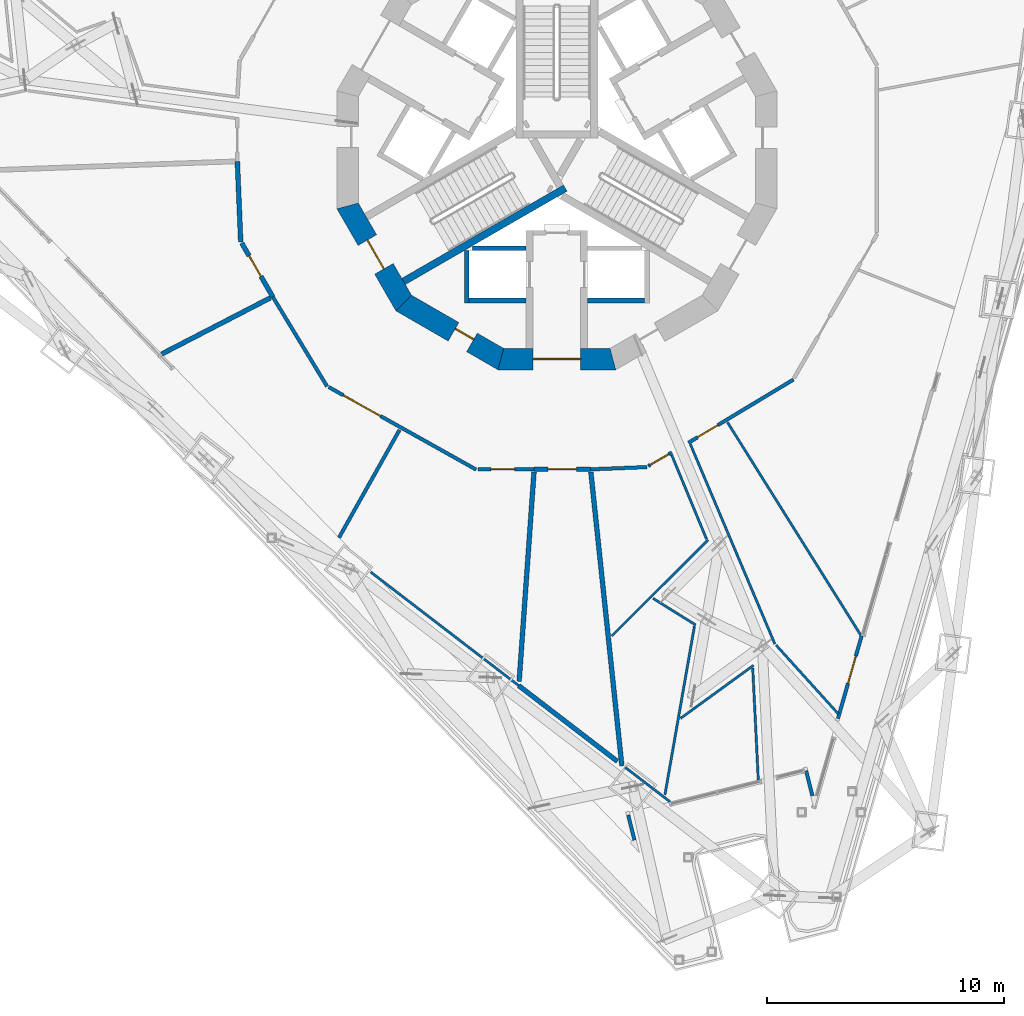
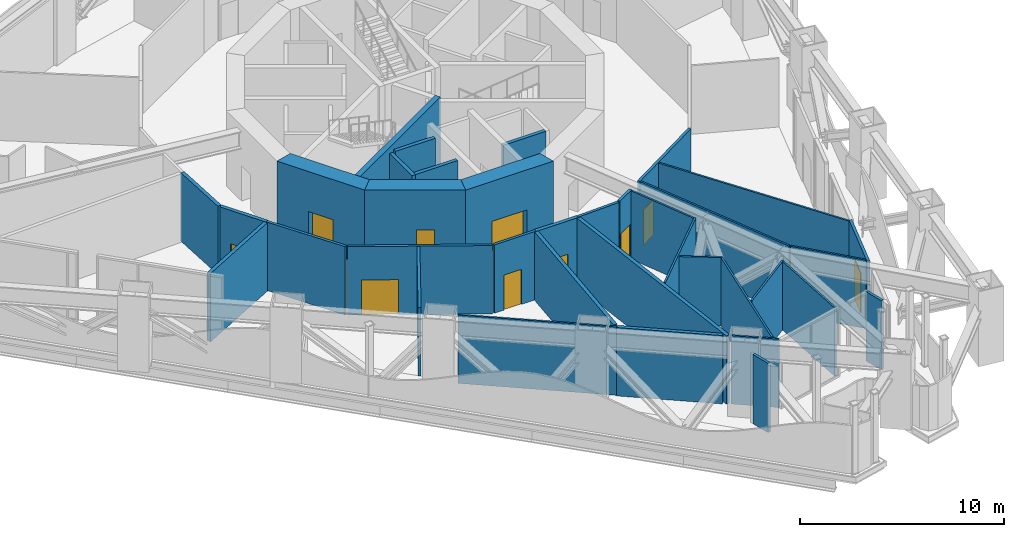
# One storey, part 12 of 26: 36 walls, 10 doors, 10 openings.
"""IFC4 building model written with IfcOpenShell, lengths in metres."""

import ifcopenshell
import ifcopenshell.guid

model = None  # the IFC model being written
_history = None  # IfcOwnerHistory: only IFC2X3 demands one
_inside = {}  # id of a spatial element -> (the spatial element, [elements in it])
_under = {}  # id of a project, library or spatial element -> (it, [spatial elements below it])
_declared = {}  # id of a project -> (the project, [libraries it declares])
_typed = {}  # id of a type object -> (the type object, [elements of that type])
_made_of = {}  # id of a material, layer set ... -> (it, [elements and type objects made of it])


def new_model(schema):
    """Start an empty IFC model of exactly this schema.

    Asked for "IFC4X3", IfcOpenShell would pick the latest addendum, in which some entities
    have other attributes; the version numbers below select the first issue.
    IFC2X3 requires an IfcOwnerHistory on every rooted entity: one is made here for all.
    """
    global model, _history
    if schema == "IFC4X3":
        model = ifcopenshell.file(schema_version=(4, 3, 0, 0))
    else:
        model = ifcopenshell.file(schema=schema)
    _inside.clear()
    _under.clear()
    _declared.clear()
    _typed.clear()
    _made_of.clear()
    _history = None
    if model.schema == "IFC2X3":
        org = make("IfcOrganization", Name="unknown")
        user = make(
            "IfcPersonAndOrganization",
            ThePerson=make("IfcPerson", FamilyName="unknown"),
            TheOrganization=org,
        )
        app = make(
            "IfcApplication",
            ApplicationDeveloper=org,
            Version="unknown",
            ApplicationFullName="unknown",
            ApplicationIdentifier="unknown",
        )
        _history = make(
            "IfcOwnerHistory",
            OwningUser=user,
            OwningApplication=app,
            ChangeAction="ADDED",
            CreationDate=0,
        )
    return model


def make(cls, **values):
    """One entity of the class cls with the attributes given. An attribute that is None is left unset."""
    return model.create_entity(
        cls, **{name: value for name, value in values.items() if value is not None}
    )


def rooted(cls, **values):
    """An entity with a GlobalId (a new one), such as an element, a storey or a relation."""
    return make(cls, GlobalId=ifcopenshell.guid.new(), OwnerHistory=_history, **values)


def si_unit(unit_type, name, prefix=None):
    """IfcSIUnit, for example si_unit("LENGTHUNIT", "METRE", prefix="MILLI")."""
    return make("IfcSIUnit", UnitType=unit_type, Prefix=prefix, Name=name)


def assignment(units):
    """IfcUnitAssignment: the units of a project."""
    return None if units is None else make("IfcUnitAssignment", Units=units)


def point(xyz):
    """IfcCartesianPoint."""
    return None if xyz is None else make("IfcCartesianPoint", Coordinates=xyz)


def direction(xyz):
    """IfcDirection."""
    return None if xyz is None else make("IfcDirection", DirectionRatios=xyz)


def frame(location, z_axis=None, x_axis=None):
    """IfcAxis2Placement3D, a coordinate frame: its origin and axes. An axis left out is left unset."""
    return make(
        "IfcAxis2Placement3D",
        Location=point(location),
        Axis=direction(z_axis),
        RefDirection=direction(x_axis),
    )


def frame_2d(location, x_axis=None):
    """IfcAxis2Placement2D, a coordinate frame in the plane: its origin and x axis."""
    return make(
        "IfcAxis2Placement2D", Location=point(location), RefDirection=direction(x_axis)
    )


def origin():
    """The frame at (0, 0, 0) with its axes left unset."""
    return frame((0.0, 0.0, 0.0))


def place(relative_to, where):
    """IfcLocalPlacement: puts the frame where relative to a parent placement (None: the world)."""
    return make(
        "IfcLocalPlacement", PlacementRelTo=relative_to, RelativePlacement=where
    )


def context(
    kind, dimensions, precision=None, world=None, true_north=None, identifier=None
):
    """IfcGeometricRepresentationContext, for example the 3D "Model" context."""
    return make(
        "IfcGeometricRepresentationContext",
        ContextIdentifier=identifier,
        ContextType=kind,
        CoordinateSpaceDimension=dimensions,
        Precision=precision,
        WorldCoordinateSystem=world,
        TrueNorth=true_north,
    )


def subcontext(parent, identifier, kind, view, scale=None):
    """IfcGeometricRepresentationSubContext, for example "Body" below "Model"."""
    return make(
        "IfcGeometricRepresentationSubContext",
        ContextIdentifier=identifier,
        ContextType=kind,
        ParentContext=parent,
        TargetScale=scale,
        TargetView=view,
    )


def project(units=None, contexts=None):
    """IfcProject with its units and contexts."""
    return rooted(
        "IfcProject",
        Name="project",
        RepresentationContexts=contexts,
        UnitsInContext=assignment(units),
    )


def spatial(cls, under=None, at=None, **own):
    """A site, building, storey or space (cls), placed at a placement, below another one or the project."""
    s = rooted(cls, ObjectPlacement=at, **own)
    if under is not None:
        _under.setdefault(under.id(), (under, []))[1].append(s)
    return s


def polyline(points):
    """IfcPolyline through the points."""
    return make("IfcPolyline", Points=[point(p) for p in points])


def profile(cls, at=None, kind="AREA", **sizes):
    """A parametric profile (cls). Its sizes go by their IFC names, for example OverallWidth=200.0."""
    return make(cls, ProfileType=kind, Position=at, **sizes)


def rectangle(**sizes):
    """IfcRectangleProfileDef."""
    return profile("IfcRectangleProfileDef", **sizes)


def outline(outer, holes=None, kind="AREA"):
    """IfcArbitraryClosedProfileDef: a profile drawn as a closed curve; with holes, ...WithVoids."""
    if holes is None:
        return make("IfcArbitraryClosedProfileDef", ProfileType=kind, OuterCurve=outer)
    return make(
        "IfcArbitraryProfileDefWithVoids",
        ProfileType=kind,
        OuterCurve=outer,
        InnerCurves=holes,
    )


def extrude(swept, where, along, depth):
    """IfcExtrudedAreaSolid: the profile swept, set in the frame where, extruded along a direction by depth."""
    return make(
        "IfcExtrudedAreaSolid",
        SweptArea=swept,
        Position=where,
        ExtrudedDirection=direction(along),
        Depth=depth,
    )


def shape(context_of_items, identifier, shape_type, items):
    """IfcShapeRepresentation: the items that make up one representation, for example the "Body"."""
    return make(
        "IfcShapeRepresentation",
        ContextOfItems=context_of_items,
        RepresentationIdentifier=identifier,
        RepresentationType=shape_type,
        Items=items,
    )


def material(Name=None, Category=None):
    """IfcMaterial."""
    return make("IfcMaterial", Name=Name, Category=Category)


def layer(
    of_material, thickness, ventilated=None, Name=None, Category=None, Priority=None
):
    """IfcMaterialLayer: one layer of a wall or slab, of a material (None: an air gap)."""
    return make(
        "IfcMaterialLayer",
        Material=of_material,
        LayerThickness=thickness,
        IsVentilated=ventilated,
        Name=Name,
        Category=Category,
        Priority=Priority,
    )


def layer_set(layers, Name=None):
    """IfcMaterialLayerSet."""
    return make("IfcMaterialLayerSet", MaterialLayers=layers, LayerSetName=Name)


def made_of(thing, what):
    """Note that an element or type object is made of a material, layer set ...; save() writes the relation."""
    if what is not None:
        _made_of.setdefault(what.id(), (what, []))[1].append(thing)
    return thing


def type_object(cls, material=None, **own):
    """A type object (cls), such as IfcWallType, which elements share."""
    return made_of(rooted(cls, **own), material)


def element(
    cls,
    number,
    at=None,
    inside=None,
    cuts=None,
    type_object=None,
    material=None,
    context=None,
    identifier="Body",
    shape_type=None,
    held_by="IfcProductDefinitionShape",
    body=None,
    shapes=None,
    **own,
):
    """One element of the class cls, such as IfcWall. Its Tag is "e" and its number.

    at: its placement. inside: the storey or other place that contains it. cuts: it is an
    opening in that element (IfcRelVoidsElement). A single representation is given by context,
    identifier, shape_type and body (its items); several are given by shapes. held_by: the class
    of the entity that holds the representations. save() writes the other relations.
    """
    e = rooted(cls, Tag="e%d" % number, ObjectPlacement=at, **own)
    if body is not None:
        shapes = [shape(context, identifier, shape_type, body)]
    if shapes is not None:
        e.Representation = make(held_by, Representations=shapes)
    if inside is not None:
        _inside.setdefault(inside.id(), (inside, []))[1].append(e)
    if cuts is not None:
        rooted(
            "IfcRelVoidsElement", RelatingBuildingElement=cuts, RelatedOpeningElement=e
        )
    if type_object is not None:
        _typed.setdefault(type_object.id(), (type_object, []))[1].append(e)
    return made_of(e, material)


def fill(opening, filler):
    """IfcRelFillsElement: the door or window that sits in an opening."""
    return rooted(
        "IfcRelFillsElement",
        RelatingOpeningElement=opening,
        RelatedBuildingElement=filler,
    )


def aggregate(whole, parts):
    """IfcRelAggregates: a whole, such as a stair, and the parts it consists of."""
    return rooted("IfcRelAggregates", RelatingObject=whole, RelatedObjects=parts)


def save(model, path):
    """Write the relations noted so far, then the file.

    IfcRelAggregates (storeys below a building ...), IfcRelContainedInSpatialStructure (elements
    in a storey), IfcRelDefinesByType, IfcRelAssociatesMaterial and IfcRelDeclares: one each for
    every whole, place, type object, material and project.
    """
    for whole, parts in _under.values():
        aggregate(whole, parts)
    for where, things in _inside.values():
        rooted(
            "IfcRelContainedInSpatialStructure",
            RelatedElements=things,
            RelatingStructure=where,
        )
    for kind, things in _typed.values():
        rooted("IfcRelDefinesByType", RelatedObjects=things, RelatingType=kind)
    for what, things in _made_of.values():
        rooted("IfcRelAssociatesMaterial", RelatedObjects=things, RelatingMaterial=what)
    for by, libraries in _declared.values():
        rooted("IfcRelDeclares", RelatingContext=by, RelatedDefinitions=libraries)
    model.write(path)


model = new_model("IFC4")

# Units and contexts
model_context = context("Model", 3, precision=1e-05, world=origin(), true_north=direction((0.0, 1.0)))
body_context = subcontext(model_context, "Body", "Model", "MODEL_VIEW")
ifc_project = project(units=[si_unit("LENGTHUNIT", "METRE"), si_unit("AREAUNIT", "SQUARE_METRE"), si_unit("VOLUMEUNIT", "CUBIC_METRE"), si_unit("PLANEANGLEUNIT", "RADIAN"), si_unit("MASSUNIT", "GRAM", prefix="KILO")], contexts=[model_context])

# Site, building, storey
site_placement = place(None, origin())
site = spatial("IfcSite", under=ifc_project, at=site_placement, CompositionType="ELEMENT")
building_placement = place(site_placement, origin())
building = spatial("IfcBuilding", under=site, at=building_placement, Name="Trine Commons Tower", CompositionType="ELEMENT")
storey_placement = place(building_placement, frame((0.0, 0.0, 119.699951171875)))
storey = spatial("IfcBuildingStorey", under=building, at=storey_placement, Name="L30", CompositionType="ELEMENT", Elevation=119.699951171875)

# Wall
ifc_material_1 = material(Name="Plasterboard on steel stud", Category="steel")
ifc_layer_1 = layer(ifc_material_1, 0.14990234375)
ifc_layer_set_1 = layer_set([ifc_layer_1], Name="Plasterboard on steel stud")
wall_type_1 = type_object("IfcWallType", Name="Compartment wall 150 mm, EI 60", PredefinedType="PARTITIONING", material=ifc_layer_set_1)
wall_1_placement = place(storey_placement, frame((68.017333984375, 56.308837890625, 0.0), z_axis=(0.0, 0.0, 1.0), x_axis=(0.518445853764, -0.85511045878, 0.0)))
element("IfcWall", 1, at=wall_1_placement, inside=storey, type_object=wall_type_1, Name="Partition A30020", PredefinedType="PARTITIONING", context=body_context, shape_type="SweptSolid", body=[
    extrude(rectangle(XDim=4.429443359375, YDim=0.14990234375, at=frame_2d((2.21484375, 0.0))), origin(), (0.0, 0.0, 1.0), 4.10009765625),
])

# Wall, opening, door
wall_2_placement = place(storey_placement, frame((76.600830078125, 49.01513671875, 0.0), z_axis=(0.0, 0.0, 1.0), x_axis=(-0.87260701935, 0.488422961972, 0.0)))
wall_2 = element("IfcWall", 2, at=wall_2_placement, inside=storey, type_object=wall_type_1, Name="Partition A30021", PredefinedType="PARTITIONING", context=body_context, shape_type="SweptSolid", body=[
    extrude(rectangle(XDim=7.12939453125, YDim=0.14990234375, at=frame_2d((3.564697265625, 0.0))), origin(), (0.0, 0.0, 1.0), 4.10009765625),
])
opening_1_placement = place(wall_2_placement, frame((4.625244140625, 0.0, 0.0)))
opening_1 = element("IfcOpeningElement", 3, at=opening_1_placement, cuts=wall_2, Name="Opening D-A3005", PredefinedType="OPENING", context=body_context, shape_type="SweptSolid", body=[
    extrude(rectangle(XDim=1.800048828125, YDim=2.10009765625, at=frame_2d((0.89990234375, 1.050048828125))), frame((0.0, 0.0849609375, 0.0), z_axis=(0.0, -1.0, 0.0), x_axis=(1.0, 0.0, 0.0)), (0.0, 0.0, 1.0), 0.169921875),
])
ifc_material_2 = material(Name="Timber fire door set", Category="wood")
door_type_1 = type_object("IfcDoorType", Name="Double swing door 1800x2100, FD30S", OperationType="DOUBLE_DOOR_DOUBLE_SWING", PredefinedType="DOOR", material=ifc_material_2)
door_1_placement = place(opening_1_placement, origin())
door_1 = element("IfcDoor", 4, at=door_1_placement, inside=storey, type_object=door_type_1, Name="Door D-A3005", OperationType="DOUBLE_DOOR_DOUBLE_SWING", OverallHeight=2.10009765625, OverallWidth=1.800048828125, PredefinedType="DOOR", context=body_context, shape_type="SweptSolid", body=[
    extrude(rectangle(XDim=1.800048828125, YDim=2.10009765625, at=frame_2d((0.89990234375, 1.050048828125))), frame((0.0, 0.02490234375, 0.0), z_axis=(0.0, -1.0, 0.0), x_axis=(1.0, 0.0, 0.0)), (0.0, 0.0, 1.0), 0.050048828125),
])
fill(opening_1, door_1)

# Wall
wall_3_placement = place(storey_placement, frame((70.81298828125, 46.146240234375, 0.0), z_axis=(0.0, 0.0, 1.0), x_axis=(0.489784871389, 0.871843322942, 0.0)))
element("IfcWall", 5, at=wall_3_placement, inside=storey, type_object=wall_type_1, Name="Partition A30023", PredefinedType="PARTITIONING", context=body_context, shape_type="SweptSolid", body=[
    extrude(rectangle(XDim=5.2080078125, YDim=0.14990234375, at=frame_2d((2.60400390625, 0.0))), origin(), (0.0, 0.0, 1.0), 4.10009765625),
])

# Wall, opening, door
wall_4_placement = place(storey_placement, frame((79.04443359375, 49.027099609375, 0.0), z_axis=(0.0, 0.0, 1.0), x_axis=(-1.0, 0.0, 0.0)))
wall_4 = element("IfcWall", 6, at=wall_4_placement, inside=storey, type_object=wall_type_1, Name="Partition A30027", PredefinedType="PARTITIONING", context=body_context, shape_type="SweptSolid", body=[
    extrude(rectangle(XDim=2.37451171875, YDim=0.14990234375, at=frame_2d((1.187255859375, 0.0))), origin(), (0.0, 0.0, 1.0), 4.10009765625),
])
opening_2_placement = place(wall_4_placement, frame((0.827392578125, 0.0, 0.0)))
opening_2 = element("IfcOpeningElement", 7, at=opening_2_placement, cuts=wall_4, Name="Opening D-A3006", PredefinedType="OPENING", context=body_context, shape_type="SweptSolid", body=[
    extrude(rectangle(XDim=1.0, YDim=2.10009765625, at=frame_2d((0.5, 1.050048828125))), frame((0.0, 0.0849609375, 0.0), z_axis=(0.0, -1.0, 0.0), x_axis=(1.0, 0.0, 0.0)), (0.0, 0.0, 1.0), 0.169921875),
])
door_type_2 = type_object("IfcDoorType", Name="Single swing door 1000x2100, FD30S", OperationType="SINGLE_SWING_LEFT", PredefinedType="DOOR", material=ifc_material_2)
door_2_placement = place(opening_2_placement, origin())
door_2 = element("IfcDoor", 8, at=door_2_placement, inside=storey, type_object=door_type_2, Name="Door D-A3006", OperationType="SINGLE_SWING_LEFT", OverallHeight=2.10009765625, OverallWidth=1.0, PredefinedType="DOOR", context=body_context, shape_type="SweptSolid", body=[
    extrude(rectangle(XDim=1.0, YDim=2.10009765625, at=frame_2d((0.5, 1.050048828125))), frame((0.0, 0.02490234375, 0.0), z_axis=(0.0, -1.0, 0.0), x_axis=(1.0, 0.0, 0.0)), (0.0, 0.0, 1.0), 0.050048828125),
])
fill(opening_2, door_2)

# Wall
wall_5_placement = place(storey_placement, frame((81.421875, 49.027099609375, 0.0), z_axis=(0.0, 0.0, 1.0), x_axis=(0.999202761102, 0.039922953376, 0.0)))
element("IfcWall", 9, at=wall_5_placement, inside=storey, type_object=wall_type_1, Name="Partition A30033", PredefinedType="PARTITIONING", context=body_context, shape_type="SweptSolid", body=[
    extrude(rectangle(XDim=2.37890625, YDim=0.14990234375, at=frame_2d((1.189453125, 0.0))), origin(), (0.0, 0.0, 1.0), 4.10009765625),
])

# Wall, opening, door
wall_6_placement = place(storey_placement, frame((83.8525390625, 49.1669921875, 0.0), z_axis=(0.0, 0.0, 1.0), x_axis=(0.866005709019, 0.500034110783, 0.0)))
wall_6 = element("IfcWall", 10, at=wall_6_placement, inside=storey, type_object=wall_type_1, Name="Partition A30037", PredefinedType="PARTITIONING", context=body_context, shape_type="SweptSolid", body=[
    extrude(rectangle(XDim=1.15283203125, YDim=0.14990234375, at=frame_2d((0.576416015625, 0.0))), origin(), (0.0, 0.0, 1.0), 4.10009765625),
])
opening_3_placement = place(wall_6_placement, frame((0.10009765625, 0.0, 0.0)))
opening_3 = element("IfcOpeningElement", 11, at=opening_3_placement, cuts=wall_6, Name="Opening D-A3010", PredefinedType="OPENING", context=body_context, shape_type="SweptSolid", body=[
    extrude(rectangle(XDim=0.89990234375, YDim=2.10009765625, at=frame_2d((0.449951171875, 1.050048828125))), frame((0.0, 0.0849609375, 0.0), z_axis=(0.0, -1.0, 0.0), x_axis=(1.0, 0.0, 0.0)), (0.0, 0.0, 1.0), 0.169921875),
])
door_type_3 = type_object("IfcDoorType", Name="Double swing door 900x2100, FD30S", OperationType="DOUBLE_DOOR_DOUBLE_SWING", PredefinedType="DOOR", material=ifc_material_2)
door_3_placement = place(opening_3_placement, origin())
door_3 = element("IfcDoor", 12, at=door_3_placement, inside=storey, type_object=door_type_3, Name="Door D-A3010", OperationType="DOUBLE_DOOR_DOUBLE_SWING", OverallHeight=2.10009765625, OverallWidth=0.89990234375, PredefinedType="DOOR", context=body_context, shape_type="SweptSolid", body=[
    extrude(rectangle(XDim=0.89990234375, YDim=2.10009765625, at=frame_2d((0.449951171875, 1.050048828125))), frame((0.0, 0.02490234375, 0.0), z_axis=(0.0, -1.0, 0.0), x_axis=(1.0, 0.0, 0.0)), (0.0, 0.0, 1.0), 0.050048828125),
])
fill(opening_3, door_3)

wall_7_placement = place(storey_placement, frame((89.978759765625, 52.813720703125, 0.0), z_axis=(0.0, 0.0, 1.0), x_axis=(-0.856700161405, -0.515814727832, 0.0)))
wall_7 = element("IfcWall", 13, at=wall_7_placement, inside=storey, type_object=wall_type_1, Name="Partition A30043", PredefinedType="PARTITIONING", context=body_context, shape_type="SweptSolid", body=[
    extrude(rectangle(XDim=5.16943359375, YDim=0.14990234375, at=frame_2d((2.584716796875, 0.0))), origin(), (0.0, 0.0, 1.0), 4.10009765625),
])
opening_4_placement = place(wall_7_placement, frame((3.7177734375, 0.0, 0.0)))
opening_4 = element("IfcOpeningElement", 14, at=opening_4_placement, cuts=wall_7, Name="Opening D-A3011", PredefinedType="OPENING", context=body_context, shape_type="SweptSolid", body=[
    extrude(rectangle(XDim=1.0, YDim=2.10009765625, at=frame_2d((0.5, 1.050048828125))), frame((0.0, 0.0849609375, 0.0), z_axis=(0.0, -1.0, 0.0), x_axis=(1.0, 0.0, 0.0)), (0.0, 0.0, 1.0), 0.169921875),
])
door_type_4 = type_object("IfcDoorType", Name="Double swing door 1000x2100, FD30S", OperationType="DOUBLE_DOOR_DOUBLE_SWING", PredefinedType="DOOR", material=ifc_material_2)
door_4_placement = place(opening_4_placement, origin())
door_4 = element("IfcDoor", 15, at=door_4_placement, inside=storey, type_object=door_type_4, Name="Door D-A3011", OperationType="DOUBLE_DOOR_DOUBLE_SWING", OverallHeight=2.10009765625, OverallWidth=1.0, PredefinedType="DOOR", context=body_context, shape_type="SweptSolid", body=[
    extrude(rectangle(XDim=1.0, YDim=2.10009765625, at=frame_2d((0.5, 1.050048828125))), frame((0.0, 0.02490234375, 0.0), z_axis=(0.0, -1.0, 0.0), x_axis=(1.0, 0.0, 0.0)), (0.0, 0.0, 1.0), 0.050048828125),
])
fill(opening_4, door_4)

# Walls
ifc_layer_2 = layer(ifc_material_1, 0.199951171875)
ifc_layer_set_2 = layer_set([ifc_layer_2], Name="Plasterboard on steel stud")
wall_type_2 = type_object("IfcWallType", Name="Fire wall 200 mm, EI 120", PredefinedType="PARTITIONING", material=ifc_layer_set_2)
wall_8_placement = place(storey_placement, frame((63.335205078125, 53.8896484375, 0.0), z_axis=(0.0, 0.0, 1.0), x_axis=(0.888421730675, 0.459028134719, 0.0)))
element("IfcWall", 16, at=wall_8_placement, inside=storey, type_object=wall_type_2, Name="Partition A30013", PredefinedType="PARTITIONING", context=body_context, shape_type="SweptSolid", body=[
    extrude(rectangle(XDim=5.16552734375, YDim=0.199951171875, at=frame_2d((2.582763671875, 0.0))), origin(), (0.0, 0.0, 1.0), 4.10009765625),
])
wall_9_placement = place(storey_placement, frame((66.668701171875, 58.620361328125, 0.0), z_axis=(0.0, 0.0, 1.0), x_axis=(-0.041660421288, 0.999131827788, 0.0)))
element("IfcWall", 17, at=wall_9_placement, inside=storey, type_object=wall_type_2, Name="Partition A30014", PredefinedType="PARTITIONING", context=body_context, shape_type="SweptSolid", body=[
    extrude(rectangle(XDim=3.39892578125, YDim=0.199951171875, at=frame_2d((1.699462890625, 0.0))), origin(), (0.0, 0.0, 1.0), 4.10009765625),
])

# Wall, opening, door
wall_10_placement = place(storey_placement, frame((68.017578125, 56.30859375, 0.0), z_axis=(0.0, 0.0, 1.0), x_axis=(-0.500076354988, 0.865981315724, 0.0)))
wall_10 = element("IfcWall", 18, at=wall_10_placement, inside=storey, type_object=wall_type_2, Name="Partition A30015", PredefinedType="PARTITIONING", context=body_context, shape_type="SweptSolid", body=[
    extrude(rectangle(XDim=2.607421875, YDim=0.199951171875, at=frame_2d((1.3037109375, 0.0))), origin(), (0.0, 0.0, 1.0), 4.10009765625),
])
opening_5_placement = place(wall_10_placement, frame((0.990234375, 0.0, 0.0)))
opening_5 = element("IfcOpeningElement", 19, at=opening_5_placement, cuts=wall_10, Name="Opening D-A3001", PredefinedType="OPENING", context=body_context, shape_type="SweptSolid", body=[
    extrude(rectangle(XDim=1.0, YDim=2.10009765625, at=frame_2d((0.5, 1.050048828125))), frame((0.0, 0.10986328125, 0.0), z_axis=(0.0, -1.0, 0.0), x_axis=(1.0, 0.0, 0.0)), (0.0, 0.0, 1.0), 0.219970703125),
])
door_type_5 = type_object("IfcDoorType", Name="Single swing door 1000x2100, FD60", OperationType="SINGLE_SWING_LEFT", PredefinedType="DOOR", material=ifc_material_2)
door_5_placement = place(opening_5_placement, origin())
door_5 = element("IfcDoor", 20, at=door_5_placement, inside=storey, type_object=door_type_5, Name="Door D-A3001", OperationType="SINGLE_SWING_LEFT", OverallHeight=2.10009765625, OverallWidth=1.0, PredefinedType="DOOR", context=body_context, shape_type="SweptSolid", body=[
    extrude(rectangle(XDim=1.0, YDim=2.10009765625, at=frame_2d((0.5, 1.050048828125))), frame((0.0, 0.02490234375, 0.0), z_axis=(0.0, -1.0, 0.0), x_axis=(1.0, 0.0, 0.0)), (0.0, 0.0, 1.0), 0.050048828125),
])
fill(opening_5, door_5)

# Walls
wall_11_placement = place(storey_placement, frame((78.41015625, 40.08837890625, 0.0), z_axis=(0.0, 0.0, 1.0), x_axis=(0.070757132426, 0.997493573017, 0.0)))
element("IfcWall", 21, at=wall_11_placement, inside=storey, type_object=wall_type_2, Name="Partition A30030", PredefinedType="PARTITIONING", context=body_context, shape_type="SweptSolid", body=[
    extrude(rectangle(XDim=8.853759765625, YDim=0.199951171875, at=frame_2d((4.4267578125, 0.0))), origin(), (0.0, 0.0, 1.0), 4.10009765625),
])
wall_12_placement = place(storey_placement, frame((78.398681640625, 39.90185546875, 0.0), z_axis=(0.0, 0.0, 1.0), x_axis=(0.793330802441, -0.608790799781, 0.0)))
element("IfcWall", 22, at=wall_12_placement, inside=storey, type_object=wall_type_2, Name="Partition A30031", PredefinedType="PARTITIONING", context=body_context, shape_type="SweptSolid", body=[
    extrude(rectangle(XDim=5.235107421875, YDim=0.199951171875, at=frame_2d((2.61767578125, 0.0))), origin(), (0.0, 0.0, 1.0), 4.10009765625),
])

# Wall, opening, door
wall_13_placement = place(storey_placement, frame((81.422119140625, 49.027099609375, 0.0), z_axis=(0.0, 0.0, 1.0), x_axis=(-1.0, 0.0, 0.0)))
wall_13 = element("IfcWall", 23, at=wall_13_placement, inside=storey, type_object=wall_type_2, Name="Partition A30032", PredefinedType="PARTITIONING", context=body_context, shape_type="SweptSolid", body=[
    extrude(rectangle(XDim=2.3779296875, YDim=0.199951171875, at=frame_2d((1.18896484375, 0.0))), origin(), (0.0, 0.0, 1.0), 4.10009765625),
])
opening_6_placement = place(wall_13_placement, frame((0.589111328125, 0.0, 0.0)))
opening_6 = element("IfcOpeningElement", 24, at=opening_6_placement, cuts=wall_13, Name="Opening D-A3009", PredefinedType="OPENING", context=body_context, shape_type="SweptSolid", body=[
    extrude(rectangle(XDim=1.199951171875, YDim=2.10009765625, at=frame_2d((0.60009765625, 1.050048828125))), frame((0.0, 0.10986328125, 0.0), z_axis=(0.0, -1.0, 0.0), x_axis=(1.0, 0.0, 0.0)), (0.0, 0.0, 1.0), 0.219970703125),
])
door_type_6 = type_object("IfcDoorType", Name="Single swing door 1200x2100, FD30S", OperationType="SINGLE_SWING_LEFT", PredefinedType="DOOR", material=ifc_material_2)
door_6_placement = place(opening_6_placement, origin())
door_6 = element("IfcDoor", 25, at=door_6_placement, inside=storey, type_object=door_type_6, Name="Door D-A3009", OperationType="SINGLE_SWING_LEFT", OverallHeight=2.10009765625, OverallWidth=1.199951171875, PredefinedType="DOOR", context=body_context, shape_type="SweptSolid", body=[
    extrude(rectangle(XDim=1.199951171875, YDim=2.10009765625, at=frame_2d((0.60009765625, 1.050048828125))), frame((0.0, 0.02490234375, 0.0), z_axis=(0.0, -1.0, 0.0), x_axis=(1.0, 0.0, 0.0)), (0.0, 0.0, 1.0), 0.050048828125),
])
fill(opening_6, door_6)

# Wall
wall_14_placement = place(storey_placement, frame((81.43359375, 48.91650390625, 0.0), z_axis=(0.0, 0.0, 1.0), x_axis=(0.104968285397, -0.994475569866, 0.0)))
element("IfcWall", 26, at=wall_14_placement, inside=storey, type_object=wall_type_2, Name="Partition A30034", PredefinedType="PARTITIONING", context=body_context, shape_type="SweptSolid", body=[
    extrude(rectangle(XDim=12.4619140625, YDim=0.199951171875, at=frame_2d((6.23095703125, 0.0))), origin(), (0.0, 0.0, 1.0), 4.10009765625),
])

# Wall, opening, door
ifc_material_3 = material(Name="Aluminium-framed insulated wall panel", Category="aluminium")
ifc_layer_3 = layer(ifc_material_3, 0.14990234375)
ifc_layer_set_3 = layer_set([ifc_layer_3], Name="Aluminium-framed insulated wall panel")
wall_type_3 = type_object("IfcWallType", Name="Glazed entrance wall 150, EI 60", PredefinedType="SOLIDWALL", material=ifc_layer_set_3)
wall_15_placement = place(storey_placement, frame((92.855712890625, 42.015869140625, 0.0), z_axis=(0.0, 0.0, 1.0), x_axis=(-0.275633551369, -0.961262786838, 0.0)))
wall_15 = element("IfcWall", 27, at=wall_15_placement, inside=storey, type_object=wall_type_3, Name="Glazed entrance wall L30 F2 12", PredefinedType="SOLIDWALL", context=body_context, shape_type="SweptSolid", body=[
    extrude(rectangle(XDim=3.639404296875, YDim=0.14990234375, at=frame_2d((1.81982421875, 0.0))), origin(), (0.0, 0.0, 1.0), 4.150146484375),
])
opening_7_placement = place(wall_15_placement, frame((0.89404296875, 0.0, 0.0)))
opening_7 = element("IfcOpeningElement", 28, at=opening_7_placement, cuts=wall_15, Name="Opening SD-L30-F2-12", PredefinedType="OPENING", context=body_context, shape_type="SweptSolid", body=[
    extrude(rectangle(XDim=1.199951171875, YDim=2.39990234375, at=frame_2d((0.60009765625, 1.199951171875))), frame((0.0, 0.0849609375, 0.0), z_axis=(0.0, -1.0, 0.0), x_axis=(1.0, 0.0, 0.0)), (0.0, 0.0, 1.0), 0.169921875),
])
ifc_material_4 = material(Name="Anodised aluminium frame with double glazing", Category="aluminium")
door_type_7 = type_object("IfcDoorType", Name="Sliding door 1200x2400", OperationType="SLIDING_TO_LEFT", PredefinedType="DOOR", material=ifc_material_4)
door_7_placement = place(opening_7_placement, origin())
door_7 = element("IfcDoor", 29, at=door_7_placement, inside=storey, type_object=door_type_7, Name="Loggia door L30 F2 12", OperationType="SLIDING_TO_LEFT", OverallHeight=2.39990234375, OverallWidth=1.199951171875, PredefinedType="DOOR", context=body_context, shape_type="SweptSolid", body=[
    extrude(rectangle(XDim=1.199951171875, YDim=2.39990234375, at=frame_2d((0.60009765625, 1.199951171875))), frame((0.0, 0.02490234375, 0.0), z_axis=(0.0, -1.0, 0.0), x_axis=(1.0, 0.0, 0.0)), (0.0, 0.0, 1.0), 0.050048828125),
])
fill(opening_7, door_7)

# Walls
ifc_layer_4 = layer(ifc_material_3, 0.14990234375)
ifc_layer_set_4 = layer_set([ifc_layer_4], Name="Aluminium-framed insulated wall panel")
wall_type_4 = type_object("IfcWallType", Name="Glazed frame wall 150, EI 60", PredefinedType="SOLIDWALL", material=ifc_layer_set_4)
wall_16_placement = place(storey_placement, frame((90.810302734375, 35.118896484375, 0.0), z_axis=(0.0, 0.0, 1.0), x_axis=(-0.241937701072, 0.970291785393, 0.0)))
element("IfcWall", 30, at=wall_16_placement, inside=storey, type_object=wall_type_4, Name="Glazed frame wall L30 R9", PredefinedType="SOLIDWALL", context=body_context, shape_type="SweptSolid", body=[
    extrude(outline(polyline([(0.1494140625, 0.074951171875), (0.1494140625, -0.074951171875), (1.235107421875, -0.074951171875), (1.235107421875, 0.074951171875), (0.1494140625, 0.074951171875)])), origin(), (0.0, 0.0, 1.0), 4.150146484375),
])
wall_17_placement = place(storey_placement, frame((82.984375, 34.553955078125, 0.0), z_axis=(0.0, 0.0, 1.0), x_axis=(0.241980315181, -0.970281158771, 0.0)))
element("IfcWall", 31, at=wall_17_placement, inside=storey, type_object=wall_type_4, Name="Glazed frame wall L30 R11", PredefinedType="SOLIDWALL", context=body_context, shape_type="SweptSolid", body=[
    extrude(outline(polyline([(0.110107421875, 0.074951171875), (0.110107421875, -0.074951171875), (1.19580078125, -0.074951171875), (1.19580078125, 0.074951171875), (0.110107421875, 0.074951171875)])), origin(), (0.0, 0.0, 1.0), 4.150146484375),
])
ifc_layer_5 = layer(ifc_material_1, 0.10009765625)
ifc_layer_set_5 = layer_set([ifc_layer_5], Name="Plasterboard on steel stud")
wall_type_5 = type_object("IfcWallType", Name="Partition wall 100 mm stud, not rated", PredefinedType="PARTITIONING", material=ifc_layer_set_5)
wall_18_placement = place(storey_placement, frame((72.150634765625, 44.696044921875, 0.0), z_axis=(0.0, 0.0, 1.0), x_axis=(0.793363672044, -0.60874796417, 0.0)))
element("IfcWall", 32, at=wall_18_placement, inside=storey, type_object=wall_type_5, Name="Partition A30024", PredefinedType="PARTITIONING", context=body_context, shape_type="SweptSolid", body=[
    extrude(rectangle(XDim=7.87109375, YDim=0.10009765625, at=frame_2d((3.935546875, 0.0))), origin(), (0.0, 0.0, 1.0), 4.10009765625),
])
wall_19_placement = place(storey_placement, frame((82.885009765625, 36.459228515625, 0.0), z_axis=(0.0, 0.0, 1.0), x_axis=(0.793344890535, -0.608772440787, 0.0)))
element("IfcWall", 33, at=wall_19_placement, inside=storey, type_object=wall_type_5, Name="Partition A30035", PredefinedType="PARTITIONING", context=body_context, shape_type="SweptSolid", body=[
    extrude(rectangle(XDim=2.39013671875, YDim=0.10009765625, at=frame_2d((1.195068359375, 0.0))), origin(), (0.0, 0.0, 1.0), 4.10009765625),
])
wall_20_placement = place(storey_placement, frame((82.311279296875, 41.99853515625, 0.0), z_axis=(0.0, 0.0, 1.0), x_axis=(0.707935558058, 0.706277031792, 0.0)))
element("IfcWall", 34, at=wall_20_placement, inside=storey, type_object=wall_type_5, Name="Partition A30039", PredefinedType="PARTITIONING", context=body_context, shape_type="SweptSolid", body=[
    extrude(rectangle(XDim=5.740966796875, YDim=0.10009765625, at=frame_2d((2.87060546875, 0.0))), origin(), (0.0, 0.0, 1.0), 4.10009765625),
])
wall_21_placement = place(storey_placement, frame((84.05615234375, 43.586181640625, 0.0), z_axis=(0.0, 0.0, 1.0), x_axis=(0.848559889172, -0.52909934274, 0.0)))
element("IfcWall", 35, at=wall_21_placement, inside=storey, type_object=wall_type_5, Name="Partition A30040", PredefinedType="PARTITIONING", context=body_context, shape_type="SweptSolid", body=[
    extrude(rectangle(XDim=2.123046875, YDim=0.10009765625, at=frame_2d((1.0615234375, 0.0))), origin(), (0.0, 0.0, 1.0), 4.10009765625),
])
wall_22_placement = place(storey_placement, frame((84.839599609375, 49.640380859375, 0.0), z_axis=(0.0, 0.0, 1.0), x_axis=(0.382690020527, -0.923876803578, 0.0)))
element("IfcWall", 36, at=wall_22_placement, inside=storey, type_object=wall_type_5, Name="Partition A30041", PredefinedType="PARTITIONING", context=body_context, shape_type="SweptSolid", body=[
    extrude(rectangle(XDim=3.84619140625, YDim=0.10009765625, at=frame_2d((1.923095703125, 0.0))), origin(), (0.0, 0.0, 1.0), 4.10009765625),
])
wall_23_placement = place(storey_placement, frame((84.55810546875, 35.305419921875, 0.0), z_axis=(0.0, 0.0, 1.0), x_axis=(0.172378691018, 0.985030754283, 0.0)))
element("IfcWall", 37, at=wall_23_placement, inside=storey, type_object=wall_type_5, Name="Partition A30042", PredefinedType="PARTITIONING", context=body_context, shape_type="SweptSolid", body=[
    extrude(rectangle(XDim=7.218994140625, YDim=0.10009765625, at=frame_2d((3.609375, 0.0))), origin(), (0.0, 0.0, 1.0), 4.10009765625),
])
wall_24_placement = place(storey_placement, frame((85.625732421875, 50.094482421875, 0.0), z_axis=(0.0, 0.0, 1.0), x_axis=(0.389626938282, -0.920972773194, 0.0)))
element("IfcWall", 38, at=wall_24_placement, inside=storey, type_object=wall_type_5, Name="Partition A30044", PredefinedType="PARTITIONING", context=body_context, shape_type="SweptSolid", body=[
    extrude(rectangle(XDim=9.15283203125, YDim=0.10009765625, at=frame_2d((4.576416015625, 0.0))), origin(), (0.0, 0.0, 1.0), 4.10009765625),
])
wall_25_placement = place(storey_placement, frame((85.21484375, 38.526123046875, 0.0), z_axis=(0.0, 0.0, 1.0), x_axis=(0.809101976788, 0.587668266251, 0.0)))
element("IfcWall", 39, at=wall_25_placement, inside=storey, type_object=wall_type_5, Name="Partition A30045", PredefinedType="PARTITIONING", context=body_context, shape_type="SweptSolid", body=[
    extrude(rectangle(XDim=3.80712890625, YDim=0.10009765625, at=frame_2d((1.903564453125, 0.0))), origin(), (0.0, 0.0, 1.0), 4.10009765625),
])
wall_26_placement = place(storey_placement, frame((87.1962890625, 51.009033203125, 0.0), z_axis=(0.0, 0.0, 1.0), x_axis=(0.530741993171, -0.847533442812, 0.0)))
element("IfcWall", 40, at=wall_26_placement, inside=storey, type_object=wall_type_5, Name="Partition A30048", PredefinedType="PARTITIONING", context=body_context, shape_type="SweptSolid", body=[
    extrude(rectangle(XDim=10.599853515625, YDim=0.10009765625, at=frame_2d((5.2998046875, 0.0))), origin(), (0.0, 0.0, 1.0), 4.10009765625),
])
wall_27_placement = place(storey_placement, frame((88.25927734375, 40.641845703125, 0.0), z_axis=(0.0, 0.0, 1.0), x_axis=(0.049834376591, -0.998757495546, 0.0)))
element("IfcWall", 41, at=wall_27_placement, inside=storey, type_object=wall_type_5, Name="Partition A30049", PredefinedType="PARTITIONING", context=body_context, shape_type="SweptSolid", body=[
    extrude(rectangle(XDim=4.7177734375, YDim=0.10009765625, at=frame_2d((2.35888671875, 0.0))), origin(), (0.0, 0.0, 1.0), 4.10009765625),
])
wall_28_placement = place(storey_placement, frame((89.242431640625, 41.616455078125, 0.0), z_axis=(0.0, 0.0, 1.0), x_axis=(0.670973719224, -0.741481131325, 0.0)))
element("IfcWall", 42, at=wall_28_placement, inside=storey, type_object=wall_type_5, Name="Partition A30052", PredefinedType="PARTITIONING", context=body_context, shape_type="SweptSolid", body=[
    extrude(rectangle(XDim=3.916259765625, YDim=0.10009765625, at=frame_2d((1.9580078125, 0.0))), origin(), (0.0, 0.0, 1.0), 4.10009765625),
])
ifc_material_5 = material(Name="Concrete C70/85", Category="concrete")
ifc_layer_6 = layer(ifc_material_5, 0.300048828125)
ifc_layer_set_6 = layer_set([ifc_layer_6], Name="Concrete C70/85")
wall_type_6 = type_object("IfcWallType", Name="RC shear wall 300 mm, C70/85", PredefinedType="SHEAR", material=ifc_layer_set_6)
wall_29_placement = place(storey_placement, frame((80.35400390625, 60.885986328125, 0.0), z_axis=(0.0, 0.0, 1.0), x_axis=(-0.866047706748, -0.499961368145, 0.0)))
element("IfcWall", 43, at=wall_29_placement, inside=storey, type_object=wall_type_6, Name="Core cross wall SWB-14 L30", PredefinedType="SHEAR", context=body_context, shape_type="SweptSolid", body=[
    extrude(rectangle(XDim=7.87255859375, YDim=0.300048828125, at=frame_2d((3.936279296875, 0.0))), origin(), (0.0, 0.0, 1.0), 4.5),
])

# Wall, opening, door
ifc_layer_7 = layer(ifc_material_5, 0.89990234375)
ifc_layer_set_7 = layer_set([ifc_layer_7], Name="Concrete C70/85")
wall_type_7 = type_object("IfcWallType", Name="RC shear wall 900 mm, C70/85", PredefinedType="SHEAR", material=ifc_layer_set_7)
wall_30_placement = place(storey_placement, frame((71.11669921875, 60.240234375, 0.0), z_axis=(0.0, 0.0, 1.0), x_axis=(0.500038571144, -0.866003133579, 0.0)))
wall_30 = element("IfcWall", 44, at=wall_30_placement, inside=storey, type_object=wall_type_7, Name="Core wall CWD-08 L30", PredefinedType="SHEAR", context=body_context, shape_type="SweptSolid", body=[
    extrude(outline(polyline([(0.0, -0.449951171875), (4.96923828125, -0.449951171875), (4.72802734375, 0.449951171875), (0.2412109375, 0.449951171875), (0.0, -0.449951171875)])), origin(), (0.0, 0.0, 1.0), 4.5),
])
opening_8_placement = place(wall_30_placement, frame((1.78466796875, 0.0, 0.0)))
opening_8 = element("IfcOpeningElement", 45, at=opening_8_placement, cuts=wall_30, Name="Opening K09.02", PredefinedType="OPENING", context=body_context, shape_type="SweptSolid", body=[
    extrude(rectangle(XDim=1.39990234375, YDim=2.10009765625, at=frame_2d((0.699951171875, 1.050048828125))), frame((0.0, 0.4599609375, 0.0), z_axis=(0.0, -1.0, 0.0), x_axis=(1.0, 0.0, 0.0)), (0.0, 0.0, 1.0), 0.919921875),
])
ifc_material_6 = material(Name="Steel door leaves, fire-rated", Category="steel")
door_type_8 = type_object("IfcDoorType", Name="Stair door, double leaf 1400 x 2100, FD90", OperationType="DOUBLE_DOOR_SINGLE_SWING", PredefinedType="DOOR", material=ifc_material_6)
door_8_placement = place(opening_8_placement, origin())
door_8 = element("IfcDoor", 46, at=door_8_placement, inside=storey, type_object=door_type_8, Name="Stair door to Exit stair ST2B L30", OperationType="DOUBLE_DOOR_SINGLE_SWING", OverallHeight=2.10009765625, OverallWidth=1.39990234375, PredefinedType="DOOR", context=body_context, shape_type="SweptSolid", body=[
    extrude(rectangle(XDim=1.39990234375, YDim=2.10009765625, at=frame_2d((0.699951171875, 1.050048828125))), frame((0.0, 0.02490234375, 0.0), z_axis=(0.0, -1.0, 0.0), x_axis=(1.0, 0.0, 0.0)), (0.0, 0.0, 1.0), 0.050048828125),
])
fill(opening_8, door_8)

wall_31_placement = place(storey_placement, frame((73.436767578125, 56.1015625, 0.0), z_axis=(0.0, 0.0, 1.0), x_axis=(0.866003133579, -0.500038571144, 0.0)))
wall_31 = element("IfcWall", 47, at=wall_31_placement, inside=storey, type_object=wall_type_7, Name="Core wall CWD-09 L30", PredefinedType="SHEAR", context=body_context, shape_type="SweptSolid", body=[
    extrude(outline(polyline([(0.0, -0.449951171875), (4.96923828125, -0.449951171875), (4.72802734375, 0.449951171875), (0.2412109375, 0.449951171875), (0.0, -0.449951171875)])), origin(), (0.0, 0.0, 1.0), 4.5),
])
opening_9_placement = place(wall_31_placement, frame((2.5458984375, 0.0, 0.0)))
opening_9 = element("IfcOpeningElement", 48, at=opening_9_placement, cuts=wall_31, Name="Opening K09.14", PredefinedType="OPENING", context=body_context, shape_type="SweptSolid", body=[
    extrude(rectangle(XDim=0.89990234375, YDim=2.10009765625, at=frame_2d((0.449951171875, 1.050048828125))), frame((0.0, 0.4599609375, 0.0), z_axis=(0.0, -1.0, 0.0), x_axis=(1.0, 0.0, 0.0)), (0.0, 0.0, 1.0), 0.919921875),
])
ifc_material_7 = material(Name="Steel door leaf, fire-rated", Category="steel")
door_type_9 = type_object("IfcDoorType", Name="Core room door, single leaf 900 x 2100, FD30S", OperationType="SINGLE_SWING_LEFT", PredefinedType="DOOR", material=ifc_material_7)
door_9_placement = place(opening_9_placement, origin())
door_9 = element("IfcDoor", 49, at=door_9_placement, inside=storey, type_object=door_type_9, Name="Door to Core WC L30", OperationType="SINGLE_SWING_RIGHT", OverallHeight=2.10009765625, OverallWidth=0.89990234375, PredefinedType="DOOR", context=body_context, shape_type="SweptSolid", body=[
    extrude(rectangle(XDim=0.89990234375, YDim=2.10009765625, at=frame_2d((0.449951171875, 1.050048828125))), frame((0.0, 0.1748046875, 0.0), z_axis=(0.0, -1.0, 0.0), x_axis=(1.0, 0.0, 0.0)), (0.0, 0.0, 1.0), 0.050048828125),
])
fill(opening_9, door_9)

wall_32_placement = place(storey_placement, frame((77.515380859375, 53.677001953125, 0.0), z_axis=(0.0, 0.0, 1.0), x_axis=(1.0, 0.0, 0.0)))
wall_32 = element("IfcWall", 50, at=wall_32_placement, inside=storey, type_object=wall_type_7, Name="Core wall CWD-10 L30", PredefinedType="SHEAR", context=body_context, shape_type="SweptSolid", body=[
    extrude(outline(polyline([(0.0, -0.449951171875), (4.969482421875, -0.449951171875), (4.728271484375, 0.449951171875), (0.2412109375, 0.449951171875), (0.0, -0.449951171875)])), origin(), (0.0, 0.0, 1.0), 4.5),
])
opening_10_placement = place(wall_32_placement, frame((1.484619140625, 0.0, 0.0)))
opening_10 = element("IfcOpeningElement", 51, at=opening_10_placement, cuts=wall_32, Name="Opening K09.08", PredefinedType="OPENING", context=body_context, shape_type="SweptSolid", body=[
    extrude(rectangle(XDim=2.0, YDim=2.10009765625, at=frame_2d((1.0, 1.050048828125))), frame((0.0, 0.4599609375, 0.0), z_axis=(0.0, -1.0, 0.0), x_axis=(1.0, 0.0, 0.0)), (0.0, 0.0, 1.0), 0.919921875),
])
door_type_10 = type_object("IfcDoorType", Name="Lobby door, double leaf 2000 x 2100, FD60", OperationType="DOUBLE_DOOR_SINGLE_SWING", PredefinedType="DOOR", material=ifc_material_6)
door_10_placement = place(opening_10_placement, origin())
door_10 = element("IfcDoor", 52, at=door_10_placement, inside=storey, type_object=door_type_10, Name="Lobby door, Service and firefighting lobby L30", OperationType="DOUBLE_DOOR_SINGLE_SWING", OverallHeight=2.10009765625, OverallWidth=2.0, PredefinedType="DOOR", context=body_context, shape_type="SweptSolid", body=[
    extrude(rectangle(XDim=2.0, YDim=2.10009765625, at=frame_2d((1.0, 1.050048828125))), frame((0.0, 0.02490234375, 0.0), z_axis=(0.0, -1.0, 0.0), x_axis=(1.0, 0.0, 0.0)), (0.0, 0.0, 1.0), 0.050048828125),
])
fill(opening_10, door_10)

# Walls
ifc_material_8 = material(Name="Fire-rated gypsum shaft wall system")
ifc_layer_8 = layer(ifc_material_8, 0.199951171875)
ifc_layer_set_8 = layer_set([ifc_layer_8], Name="Fire-rated gypsum shaft wall system")
wall_type_8 = type_object("IfcWallType", Name="Shaft wall 200 mm, EI 120", PredefinedType="PARTITIONING", material=ifc_layer_set_8)
wall_33_placement = place(storey_placement, frame((76.199951171875, 58.257080078125, 0.0), z_axis=(0.0, 0.0, 1.0), x_axis=(0.0, -1.0, 0.0)))
element("IfcWall", 53, at=wall_33_placement, inside=storey, type_object=wall_type_8, Name="Shaft wall L30", PredefinedType="PARTITIONING", context=body_context, shape_type="SweptSolid", body=[
    extrude(rectangle(XDim=2.20703125, YDim=0.199951171875, at=frame_2d((1.103515625, 0.0))), origin(), (0.0, 0.0, 1.0), 4.150146484375),
])
wall_34_placement = place(storey_placement, frame((78.699951171875, 56.14990234375, 0.0), z_axis=(0.0, 0.0, 1.0), x_axis=(-1.0, 0.0, 0.0)))
element("IfcWall", 54, at=wall_34_placement, inside=storey, type_object=wall_type_8, Name="Shaft wall L30", PredefinedType="PARTITIONING", context=body_context, shape_type="SweptSolid", body=[
    extrude(rectangle(XDim=2.39990234375, YDim=0.199951171875, at=frame_2d((1.199951171875, 0.0))), origin(), (0.0, 0.0, 1.0), 4.150146484375),
])
wall_35_placement = place(storey_placement, frame((78.699951171875, 58.35009765625, 0.0), z_axis=(0.0, 0.0, 1.0), x_axis=(-1.0, 0.0, 0.0)))
element("IfcWall", 55, at=wall_35_placement, inside=storey, type_object=wall_type_8, Name="Shaft wall L30", PredefinedType="PARTITIONING", context=body_context, shape_type="SweptSolid", body=[
    extrude(rectangle(XDim=2.264892578125, YDim=0.199951171875, at=frame_2d((1.13232421875, 0.0))), origin(), (0.0, 0.0, 1.0), 4.150146484375),
])
wall_36_placement = place(storey_placement, frame((81.300048828125, 56.14990234375, 0.0), z_axis=(0.0, 0.0, 1.0), x_axis=(1.0, 0.0, 0.0)))
element("IfcWall", 56, at=wall_36_placement, inside=storey, type_object=wall_type_8, Name="Shaft wall L30", PredefinedType="PARTITIONING", context=body_context, shape_type="SweptSolid", body=[
    extrude(rectangle(XDim=2.39990234375, YDim=0.199951171875, at=frame_2d((1.199951171875, 0.0))), origin(), (0.0, 0.0, 1.0), 4.150146484375),
])

save(model, "model.ifc")
